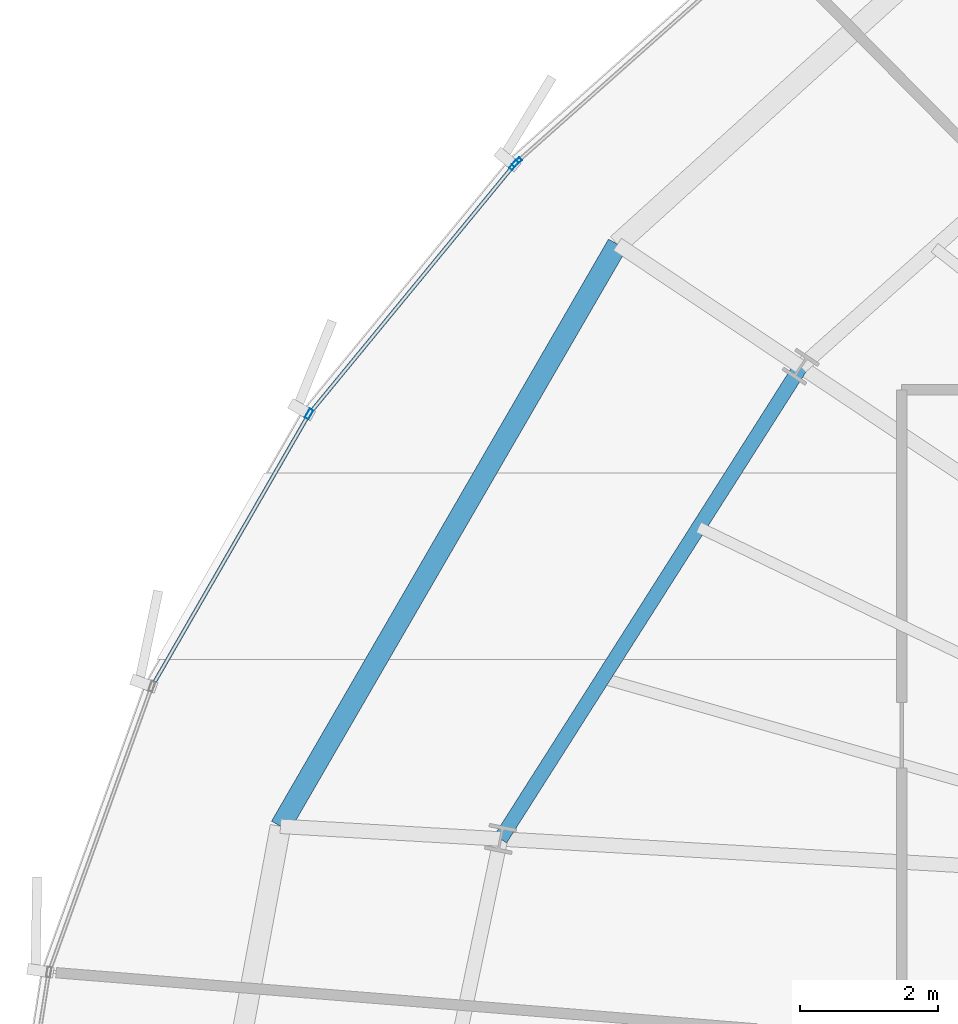
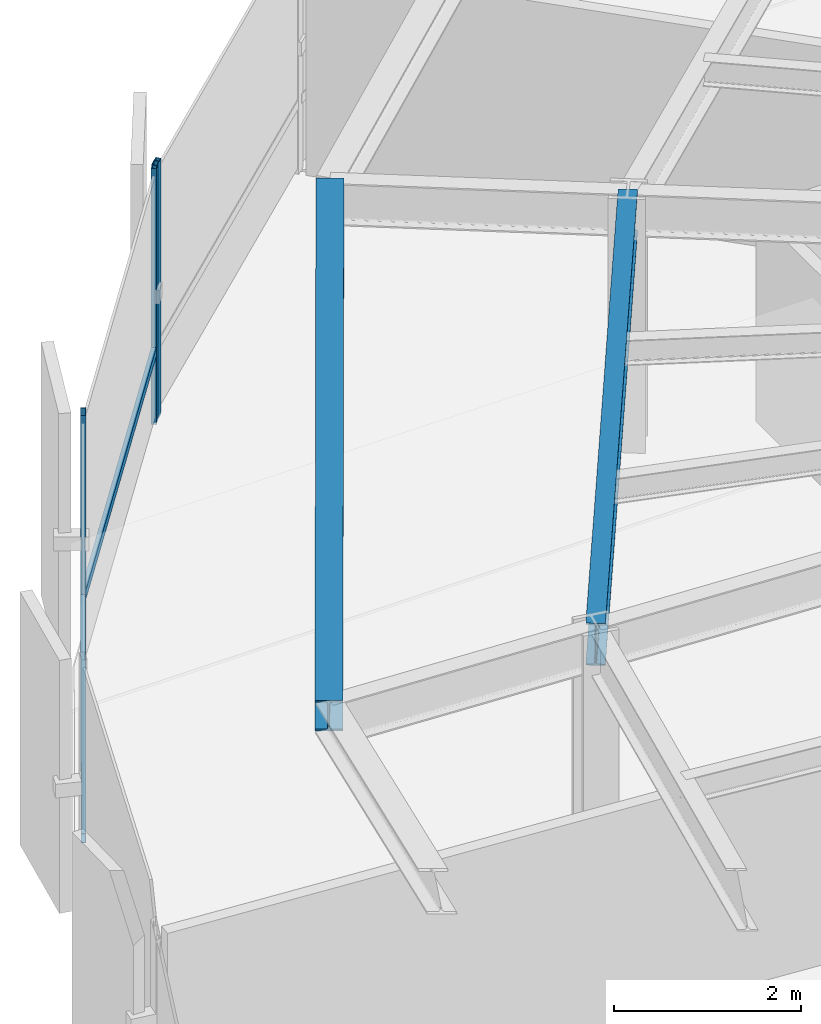
# One storey, part 17 of 33: 5 members, 2 beams, 2 elements without a shape of their own.
"""IFC4 building model written with IfcOpenShell, lengths in metres."""

from ifc_helpers import new_model, si_unit, direction, frame, origin, origin_2d, place, context, subcontext, project, spatial, hollow_rectangle, i_section, extrude, source, transform, mapped, material, layer, layer_set, material_profile, profile_set, type_object, element, aggregate, save


model = new_model("IFC4")

# Units and contexts
model_context = context("Model", 3, precision=1e-05, world=origin(), true_north=direction((0.0, 1.0)))
body_context = subcontext(model_context, "Body", "Model", "MODEL_VIEW")
ifc_project = project(units=[si_unit("LENGTHUNIT", "METRE"), si_unit("AREAUNIT", "SQUARE_METRE"), si_unit("VOLUMEUNIT", "CUBIC_METRE"), si_unit("PLANEANGLEUNIT", "RADIAN"), si_unit("MASSUNIT", "GRAM", prefix="KILO"), si_unit("THERMODYNAMICTEMPERATUREUNIT", "KELVIN")], contexts=[model_context])

# Site, building, storey
site_placement = place(None, origin())
site = spatial("IfcSite", under=ifc_project, at=site_placement, CompositionType="ELEMENT")
building_placement = place(site_placement, origin())
building = spatial("IfcBuilding", under=site, at=building_placement, Name="Kethvar Cultural Tower", CompositionType="ELEMENT")
storey_placement = place(building_placement, frame((0.0, 0.0, 118.0)))
storey = spatial("IfcBuildingStorey", under=building, at=storey_placement, Name="L29", CompositionType="ELEMENT", Elevation=118.0)

# Beams
ifc_material_1 = material(Name="Steel S355J2", Category="steel")
ifc_material_profile_1 = material_profile(ifc_material_1, i_section(OverallWidth=0.2099609375, OverallDepth=0.550048828125, WebThickness=0.010986328125, FlangeThickness=0.01708984375, FilletRadius=0.02392578125, at=origin_2d()), Name="Steel S355J2 — IPE550")
ifc_profile_set_1 = profile_set([ifc_material_profile_1], Name="Steel S355J2 — IPE550")
beam_type_1 = type_object("IfcBeamType", Name="BM-IPE550", PredefinedType="BEAM", material=ifc_profile_set_1)
shared_shape_1 = source(origin(), body_context, "Body", "SweptSolid", [
    extrude(i_section(OverallWidth=0.2099609375, OverallDepth=0.550048828125, WebThickness=0.010986328125, FlangeThickness=0.01708984375, FilletRadius=0.02392578125, at=origin_2d()), origin(), (0.0, 0.0, 1.0), 8.122314453125),
])
beam_1_placement = place(storey_placement, frame((30.345947265625, 38.794189453125, 3.072998046875), z_axis=(-0.536478664647, -0.843913883272, 0.0), x_axis=(0.843913883272, -0.536478664647, 0.0)))
element("IfcBeam", 1, at=beam_1_placement, inside=storey, type_object=beam_type_1, Name="L29 Column Ring Tie Beam CR-07", PredefinedType="BEAM", context=body_context, shape_type="MappedRepresentation", body=[
    mapped(shared_shape_1, transform((0.0, 0.0, 0.0), scale=1.0)),
])
ifc_material_profile_2 = material_profile(ifc_material_1, i_section(OverallWidth=0.300048828125, OverallDepth=0.39990234375, WebThickness=0.013427734375, FlangeThickness=0.02392578125, FilletRadius=0.027099609375, at=origin_2d()), Name="Steel S355J2 — HEB400")
ifc_profile_set_2 = profile_set([ifc_material_profile_2], Name="Steel S355J2 — HEB400")
beam_type_2 = type_object("IfcBeamType", Name="BM-SP400", PredefinedType="SPANDREL", material=ifc_profile_set_2)
shared_shape_2 = source(origin(), body_context, "Body", "SweptSolid", [
    extrude(i_section(OverallWidth=0.300048828125, OverallDepth=0.39990234375, WebThickness=0.013427734375, FlangeThickness=0.02392578125, FilletRadius=0.027099609375, at=origin_2d()), origin(), (0.0, 0.0, 1.0), 9.762939453125),
])
beam_2_placement = place(storey_placement, frame((27.685302734375, 40.572021484375, 3.14794921875), z_axis=(-0.501043170838, -0.865422290536, 0.0), x_axis=(0.865422290536, -0.501043170838, 0.0)))
element("IfcBeam", 2, at=beam_2_placement, inside=storey, type_object=beam_type_2, Name="L29 Perimeter Spandrel Beam SP-07", PredefinedType="SPANDREL", context=body_context, shape_type="MappedRepresentation", body=[
    mapped(shared_shape_2, transform((0.0, 0.0, 0.0), scale=1.0)),
])

# Curtain wall, member
ifc_material_2 = material(Name="Aluminium 6063-T6", Category="aluminium")
ifc_layer = layer(ifc_material_2, 0.179931640625, Name="Aluminium 6063-T6", Category="aluminium")
ifc_layer_set = layer_set([ifc_layer], Name="Aluminium 6063-T6 (180 mm)")
curtain_wall_type = type_object("IfcCurtainWallType", Name="CW-SYS-03-Z2", PredefinedType="NOTDEFINED", material=ifc_layer_set)
curtain_wall_1_placement = place(storey_placement, origin())
curtain_wall_1 = element("IfcCurtainWall", 3, at=curtain_wall_1_placement, inside=storey, type_object=curtain_wall_type, Name="L29 Curtain Wall Run 02", PredefinedType="NOTDEFINED")
ifc_material_profile_3 = material_profile(ifc_material_2, hollow_rectangle(XDim=0.06005859375, YDim=0.14990234375, WallThickness=0.0048828125, at=origin_2d()), Name="Aluminium 6063-T6 — RHS150x60x5")
ifc_profile_set_3 = profile_set([ifc_material_profile_3], Name="Aluminium 6063-T6 — RHS150x60x5")
member_type_1 = type_object("IfcMemberType", Name="CW-SYS-03-Z2-MUL", PredefinedType="MULLION", material=ifc_profile_set_3)
shared_shape_3 = source(origin(), body_context, "Body", "SweptSolid", [
    extrude(hollow_rectangle(XDim=0.06005859375, YDim=0.14990234375, WallThickness=0.0048828125, at=origin_2d()), origin(), (0.0, 0.0, 1.0), 3.35009765625),
])
member_1_placement = place(storey_placement, frame((26.224365234375, 41.76513671875, 0.0), z_axis=(0.0, 0.0, 1.0), x_axis=(0.664187202975, -0.747566290977, 0.0)))
member_1 = element("IfcMember", 4, at=member_1_placement, type_object=member_type_1, Name="CW-L29-R02 Mullion 7", PredefinedType="MULLION", context=body_context, shape_type="MappedRepresentation", body=[
    mapped(shared_shape_3, transform((0.0, 0.0, 0.0), scale=1.0)),
])
aggregate(curtain_wall_1, [member_1])

# Curtain wall, members
curtain_wall_2_placement = place(storey_placement, origin())
curtain_wall_2 = element("IfcCurtainWall", 5, at=curtain_wall_2_placement, inside=storey, type_object=curtain_wall_type, Name="L29 Curtain Wall Run 03", PredefinedType="NOTDEFINED")
member_2_placement = place(storey_placement, frame((26.182861328125, 41.721923828125, 0.0), z_axis=(0.0, 0.0, 1.0), x_axis=(0.772256996021, -0.635310264435, 0.0)))
member_2 = element("IfcMember", 6, at=member_2_placement, type_object=member_type_1, Name="CW-L29-R03 Mullion 1", PredefinedType="MULLION", context=body_context, shape_type="MappedRepresentation", body=[
    mapped(shared_shape_3, transform((0.0, 0.0, 0.0), scale=1.0)),
])
member_3_placement = place(storey_placement, frame((23.20849609375, 38.10888671875, 0.0), z_axis=(0.0, 0.0, 1.0), x_axis=(0.866400405649, -0.499349914479, 0.0)))
member_3 = element("IfcMember", 7, at=member_3_placement, type_object=member_type_1, Name="CW-L29-R03 Mullion 2", PredefinedType="MULLION", context=body_context, shape_type="MappedRepresentation", body=[
    mapped(shared_shape_3, transform((0.0, 0.0, 0.0), scale=1.0)),
])
ifc_material_profile_4 = material_profile(ifc_material_2, hollow_rectangle(XDim=0.054931640625, YDim=0.1201171875, WallThickness=0.00390625, at=origin_2d()), Name="Aluminium 6063-T6 — RHS120x55x4")
ifc_profile_set_4 = profile_set([ifc_material_profile_4], Name="Aluminium 6063-T6 — RHS120x55x4")
member_type_2 = type_object("IfcMemberType", Name="CW-SYS-03-Z2-TRN", PredefinedType="USERDEFINED", material=ifc_profile_set_4)
shared_shape_4 = source(origin(), body_context, "Body", "SweptSolid", [
    extrude(hollow_rectangle(XDim=0.054931640625, YDim=0.1201171875, WallThickness=0.00390625, at=origin_2d()), origin(), (0.0, 0.0, 1.0), 4.5),
])
member_4_placement = place(storey_placement, frame((23.18701171875, 38.071533203125, 0.949951171875), z_axis=(-0.499337279686, -0.866407687591, 0.0), x_axis=(0.866407687591, -0.499337279686, 0.0)))
member_4 = element("IfcMember", 8, at=member_4_placement, type_object=member_type_2, Name="CW-L29-R03 Transom 2", ObjectType="TRANSOM", PredefinedType="USERDEFINED", context=body_context, shape_type="MappedRepresentation", body=[
    mapped(shared_shape_4, transform((0.0, 0.0, 0.0), scale=1.0)),
])
shared_shape_5 = source(origin(), body_context, "Body", "SweptSolid", [
    extrude(hollow_rectangle(XDim=0.054931640625, YDim=0.1201171875, WallThickness=0.00390625, at=origin_2d()), origin(), (0.0, 0.0, 1.0), 4.651611328125),
])
member_5_placement = place(storey_placement, frame((26.180419921875, 41.71875, 0.949951171875), z_axis=(-0.635344757863, -0.772228618128, 0.0), x_axis=(0.772228618128, -0.635344757863, 0.0)))
member_5 = element("IfcMember", 9, at=member_5_placement, type_object=member_type_2, Name="CW-L29-R03 Transom 1", ObjectType="TRANSOM", PredefinedType="USERDEFINED", context=body_context, shape_type="MappedRepresentation", body=[
    mapped(shared_shape_5, transform((0.0, 0.0, 0.0), scale=1.0)),
])
aggregate(curtain_wall_2, [member_2, member_3, member_5, member_4])

save(model, "model.ifc")
